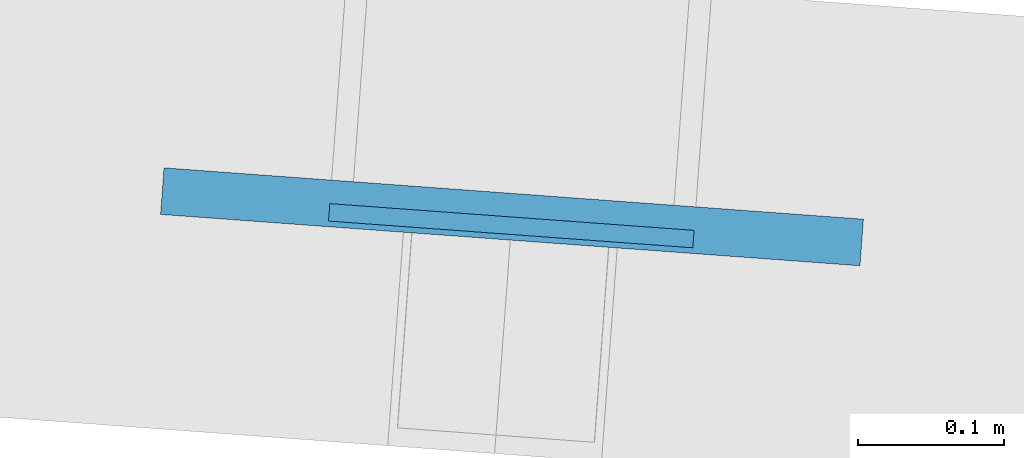
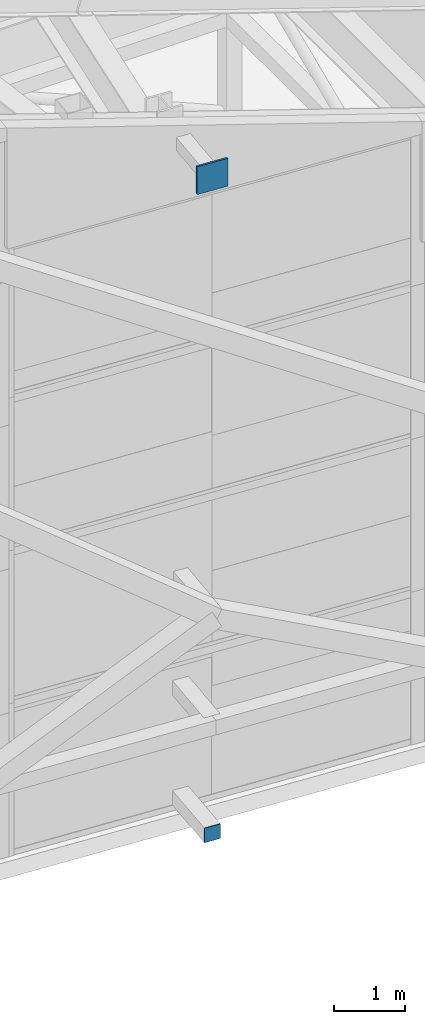
# One storey, part 39 of 56: 2 plates.
"""IFC4 building model written with IfcOpenShell, lengths in metres."""

from ifc_helpers import new_model, si_unit, direction, frame, origin, origin_2d, place, context, subcontext, project, spatial, rectangle, extrude, source, transform, mapped, material, layer, layer_set, type_object, element, save


model = new_model("IFC4")

# Units and contexts
model_context = context("Model", 3, precision=1e-05, world=origin(), true_north=direction((0.0, 1.0)))
body_context = subcontext(model_context, "Body", "Model", "MODEL_VIEW")
ifc_project = project(units=[si_unit("LENGTHUNIT", "METRE"), si_unit("AREAUNIT", "SQUARE_METRE"), si_unit("VOLUMEUNIT", "CUBIC_METRE"), si_unit("PLANEANGLEUNIT", "RADIAN"), si_unit("MASSUNIT", "GRAM", prefix="KILO")], contexts=[model_context])

# Site, building, storey
site_placement = place(None, origin())
site = spatial("IfcSite", under=ifc_project, at=site_placement, CompositionType="ELEMENT")
building_placement = place(site_placement, origin())
building = spatial("IfcBuilding", under=site, at=building_placement, Name="Taldren Reach Tower", CompositionType="ELEMENT")
storey_placement = place(building_placement, frame((0.0, 0.0, 253.050048828125)))
storey = spatial("IfcBuildingStorey", under=building, at=storey_placement, Name="L77", CompositionType="ELEMENT", Elevation=253.050048828125)

# Plates
ifc_material_1 = material(Name="Steel Gr 350 (C350L0)", Category="steel")
ifc_layer_1 = layer(ifc_material_1, 0.011962890625)
ifc_layer_set_1 = layer_set([ifc_layer_1], Name="Steel Gr 350 (C350L0)")
plate_type_1 = type_object("IfcPlateType", Name="PL-CAP-250", PredefinedType="SHEET", material=ifc_layer_set_1)
shared_shape_1 = source(origin(), body_context, "Body", "SweptSolid", [
    extrude(rectangle(XDim=0.25, YDim=0.011962890625, at=origin_2d()), origin(), (0.0, 0.0, 1.0), 0.25),
])
plate_1_placement = place(storey_placement, frame((29.946533203125, 3.812744140625, 0.094970703125), z_axis=(0.0, 0.0, 1.0), x_axis=(0.997314477224, -0.073238197128, 0.0)))
element("IfcPlate", 1, at=plate_1_placement, inside=storey, type_object=plate_type_1, Name="Tie strut end cap plate B5-S3 L77", PredefinedType="SHEET", context=body_context, shape_type="MappedRepresentation", body=[
    mapped(shared_shape_1, transform((0.0, 0.0, 0.0), scale=1.0)),
])
ifc_material_2 = material(Name="Steel Gr 450 (C450L0)", Category="steel")
ifc_layer_2 = layer(ifc_material_2, 0.031982421875)
ifc_layer_set_2 = layer_set([ifc_layer_2], Name="Steel Gr 450 (C450L0)")
plate_type_2 = type_object("IfcPlateType", Name="PL-GUSSET-32", PredefinedType="SHEET", material=ifc_layer_set_2)
shared_shape_2 = source(origin(), body_context, "Body", "SweptSolid", [
    extrude(rectangle(XDim=0.47998046875, YDim=0.031982421875, at=origin_2d()), origin(), (0.0, 0.0, 1.0), 0.47998046875),
])
plate_2_placement = place(storey_placement, frame((29.947021484375, 3.81884765625, 11.281982421875), z_axis=(0.0, 0.0, 1.0), x_axis=(0.997314477224, -0.073238197128, 0.0)))
element("IfcPlate", 2, at=plate_2_placement, inside=storey, type_object=plate_type_2, Name="Exoskeleton star-node gusset plate B5-S3 L77", PredefinedType="SHEET", context=body_context, shape_type="MappedRepresentation", body=[
    mapped(shared_shape_2, transform((0.0, 0.0, 0.0), scale=1.0)),
])

save(model, "model.ifc")
